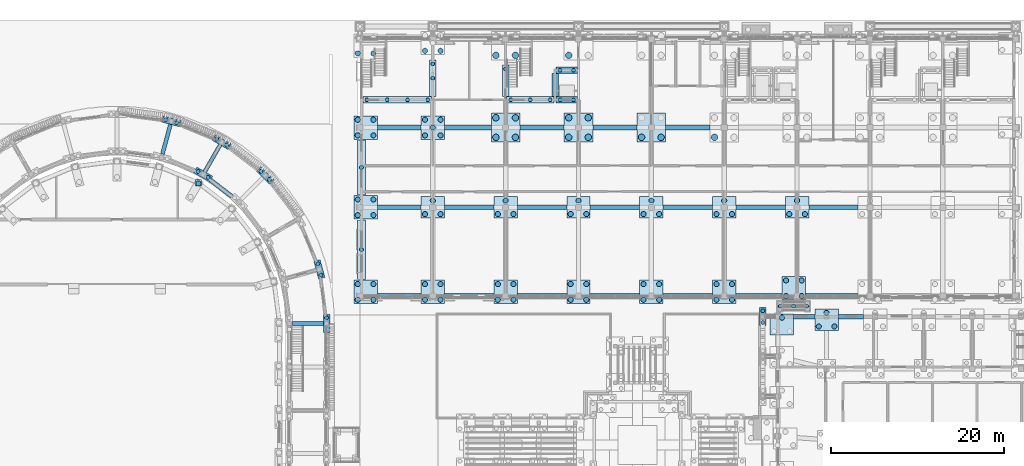
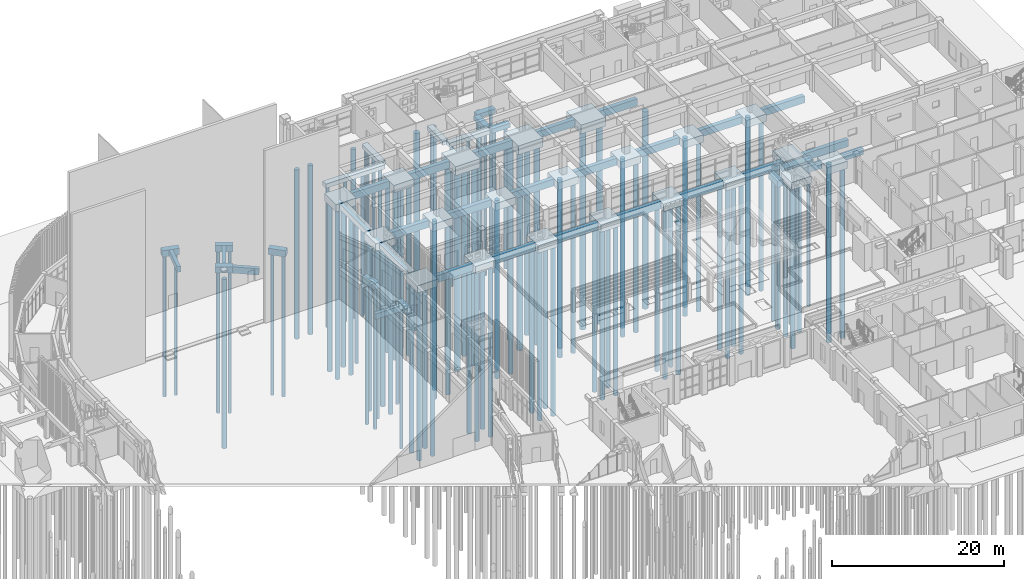
# One storey, part 8 of 112: 114 piles, 64 footings.
"""IFC4 building model written with IfcOpenShell, lengths in metres."""

from ifc_helpers import new_model, si_unit, direction, frame, origin, origin_2d, place, context, subcontext, project, spatial, rectangle, circle, extrude, material, material_profile, profile_set, type_object, element, save


model = new_model("IFC4")

# Units and contexts
model_context = context("Model", 3, precision=1e-05, world=origin(), true_north=direction((0.0, 1.0)))
body_context = subcontext(model_context, "Body", "Model", "MODEL_VIEW")
ifc_project = project(units=[si_unit("LENGTHUNIT", "METRE"), si_unit("AREAUNIT", "SQUARE_METRE"), si_unit("VOLUMEUNIT", "CUBIC_METRE"), si_unit("PLANEANGLEUNIT", "RADIAN"), si_unit("MASSUNIT", "GRAM", prefix="KILO")], contexts=[model_context])

# Site, building, storey
site_placement = place(None, origin())
site = spatial("IfcSite", under=ifc_project, at=site_placement, CompositionType="ELEMENT")
building_placement = place(site_placement, origin())
building = spatial("IfcBuilding", under=site, at=building_placement, Name="Wasatch Bagh Community Centre", CompositionType="ELEMENT")
storey_placement = place(building_placement, origin())
storey = spatial("IfcBuildingStorey", under=building, at=storey_placement, Name="L00", CompositionType="ELEMENT", Elevation=0.0)

# Footings
ifc_material_1 = material(Name="Concrete C35", Category="concrete")
footing_type_1 = type_object("IfcFootingType", Name="FD-GB-B", PredefinedType="FOOTING_BEAM", material=ifc_material_1)
for number, where, z_axis, x_axis, name in (
    (1, (58.0, 65.0, -1.0), (0.0, 0.0, 1.0), (1.0, 0.0, 0.0), "GB ground beam 87"),
    (2, (47.0, 84.052490234375, -1.0), (0.0, 0.0, 1.0), (0.50000000003, 0.866025403767, 0.0), "GB ground beam 100"),
    (3, (41.694091796875, 86.25048828125, -1.0), (0.0, 0.0, 1.0), (0.258819045119, 0.965925826285, 0.0), "GB ground beam 102"),
):
    element("IfcFooting", number, at=place(storey_placement, frame(where, z_axis=z_axis, x_axis=x_axis)), inside=storey, type_object=footing_type_1, Name=name, PredefinedType="FOOTING_BEAM", context=body_context, shape_type="SweptSolid", body=[
        extrude(rectangle(XDim=3.550048828125, YDim=0.449951171875, at=origin_2d()), origin(), (0.0, 0.0, 1.0), 0.800048828125),
    ])
footing_type_2 = type_object("IfcFootingType", Name="FD-GB-C", PredefinedType="FOOTING_BEAM", material=ifc_material_1)
footing_1_placement = place(storey_placement, frame((47.98046875, 80.61328125, -1.099853515625), z_axis=(0.0, 0.0, 1.0), x_axis=(-0.793353340376, 0.608761428898, 0.0)))
element("IfcFooting", 4, at=footing_1_placement, inside=storey, type_object=footing_type_2, Name="GB ground beam 97", PredefinedType="FOOTING_BEAM", context=body_context, shape_type="SweptSolid", body=[
    extrude(rectangle(XDim=3.063720703125, YDim=0.5, at=origin_2d()), origin(), (0.0, 0.0, 1.0), 0.89990234375),
])
footing_2_placement = place(storey_placement, frame((115.22509765625, 65.800048828125, -1.099853515625), z_axis=(0.0, 0.0, 1.0), x_axis=(1.0, 0.0, 0.0)))
element("IfcFooting", 5, at=footing_2_placement, inside=storey, type_object=footing_type_2, Name="GB ground beam 300", PredefinedType="FOOTING_BEAM", context=body_context, shape_type="SweptSolid", body=[
    extrude(rectangle(XDim=2.449951171875, YDim=0.5, at=origin_2d()), origin(), (0.0, 0.0, 1.0), 0.89990234375),
])
footing_3_placement = place(storey_placement, frame((120.60009765625, 65.800048828125, -1.099853515625), z_axis=(0.0, 0.0, 1.0), x_axis=(1.0, 0.0, 0.0)))
element("IfcFooting", 6, at=footing_3_placement, inside=storey, type_object=footing_type_2, Name="GB ground beam 302", PredefinedType="FOOTING_BEAM", context=body_context, shape_type="SweptSolid", body=[
    extrude(rectangle(XDim=2.89990234375, YDim=0.5, at=origin_2d()), origin(), (0.0, 0.0, 1.0), 0.89990234375),
])
footing_type_3 = type_object("IfcFootingType", Name="FD-GB-D", PredefinedType="FOOTING_BEAM", material=ifc_material_1)
footing_4_placement = place(storey_placement, frame((76.449951171875, 87.60009765625, -1.199951171875), z_axis=(0.0, 0.0, 1.0), x_axis=(1.0, 0.0, 0.0)))
element("IfcFooting", 7, at=footing_4_placement, inside=storey, type_object=footing_type_3, Name="GB ground beam 188", PredefinedType="FOOTING_BEAM", context=body_context, shape_type="SweptSolid", body=[
    extrude(rectangle(XDim=5.39990234375, YDim=0.550048828125, at=origin_2d()), origin(), (0.0, 0.0, 1.0), 1.0),
])
footing_5_placement = place(storey_placement, frame((68.52490234375, 87.60009765625, -1.199951171875), z_axis=(0.0, 0.0, 1.0), x_axis=(-1.0, 0.0, 0.0)))
element("IfcFooting", 8, at=footing_5_placement, inside=storey, type_object=footing_type_3, Name="GB ground beam 189", PredefinedType="FOOTING_BEAM", context=body_context, shape_type="SweptSolid", body=[
    extrude(rectangle(XDim=5.050048828125, YDim=0.550048828125, at=origin_2d()), origin(), (0.0, 0.0, 1.0), 1.0),
])
for number, where, z_axis, x_axis, name in (
    (9, (85.0, 87.60009765625, -1.199951171875), (0.0, 0.0, 1.0), (1.0, 0.0, 0.0), "GB ground beam 190"),
    (10, (93.39990234375, 87.60009765625, -1.199951171875), (0.0, 0.0, 1.0), (1.0, 0.0, 0.0), "GB ground beam 191"),
    (11, (101.800048828125, 87.60009765625, -1.199951171875), (0.0, 0.0, 1.0), (1.0, 0.0, 0.0), "GB ground beam 192"),
):
    element("IfcFooting", number, at=place(storey_placement, frame(where, z_axis=z_axis, x_axis=x_axis)), inside=storey, type_object=footing_type_3, Name=name, PredefinedType="FOOTING_BEAM", context=body_context, shape_type="SweptSolid", body=[
        extrude(rectangle(XDim=5.10009765625, YDim=0.550048828125, at=origin_2d()), origin(), (0.0, 0.0, 1.0), 1.0),
    ])
footing_6_placement = place(storey_placement, frame((76.60009765625, 78.39990234375, -1.199951171875), z_axis=(0.0, 0.0, 1.0), x_axis=(1.0, 0.0, 0.0)))
element("IfcFooting", 12, at=footing_6_placement, inside=storey, type_object=footing_type_3, Name="GB ground beam 197", PredefinedType="FOOTING_BEAM", context=body_context, shape_type="SweptSolid", body=[
    extrude(rectangle(XDim=5.699951171875, YDim=0.550048828125, at=origin_2d()), origin(), (0.0, 0.0, 1.0), 1.0),
])
footing_7_placement = place(storey_placement, frame((68.52490234375, 78.39990234375, -1.199951171875), z_axis=(0.0, 0.0, 1.0), x_axis=(-1.0, 0.0, 0.0)))
element("IfcFooting", 13, at=footing_7_placement, inside=storey, type_object=footing_type_3, Name="GB ground beam 198", PredefinedType="FOOTING_BEAM", context=body_context, shape_type="SweptSolid", body=[
    extrude(rectangle(XDim=5.050048828125, YDim=0.550048828125, at=origin_2d()), origin(), (0.0, 0.0, 1.0), 1.0),
])
for number, where, z_axis, x_axis, name in (
    (14, (85.0, 78.39990234375, -1.199951171875), (0.0, 0.0, 1.0), (1.0, 0.0, 0.0), "GB ground beam 199"),
    (15, (93.39990234375, 78.39990234375, -1.199951171875), (0.0, 0.0, 1.0), (1.0, 0.0, 0.0), "GB ground beam 200"),
    (16, (101.800048828125, 78.39990234375, -1.199951171875), (0.0, 0.0, 1.0), (1.0, 0.0, 0.0), "GB ground beam 201"),
    (17, (110.199951171875, 78.39990234375, -1.199951171875), (0.0, 0.0, 1.0), (1.0, 0.0, 0.0), "GB ground beam 202"),
    (18, (118.60009765625, 78.39990234375, -1.199951171875), (0.0, 0.0, 1.0), (1.0, 0.0, 0.0), "GB ground beam 203"),
):
    element("IfcFooting", number, at=place(storey_placement, frame(where, z_axis=z_axis, x_axis=x_axis)), inside=storey, type_object=footing_type_3, Name=name, PredefinedType="FOOTING_BEAM", context=body_context, shape_type="SweptSolid", body=[
        extrude(rectangle(XDim=5.699951171875, YDim=0.550048828125, at=origin_2d()), origin(), (0.0, 0.0, 1.0), 1.0),
    ])
footing_8_placement = place(storey_placement, frame((68.52490234375, 68.199951171875, -1.199951171875), z_axis=(0.0, 0.0, 1.0), x_axis=(1.0, 0.0, 0.0)))
element("IfcFooting", 19, at=footing_8_placement, inside=storey, type_object=footing_type_3, Name="GB ground beam 215", PredefinedType="FOOTING_BEAM", context=body_context, shape_type="SweptSolid", body=[
    extrude(rectangle(XDim=5.050048828125, YDim=0.550048828125, at=origin_2d()), origin(), (0.0, 0.0, 1.0), 1.0),
])
for number, where, z_axis, x_axis, name in (
    (20, (76.60009765625, 68.199951171875, -1.199951171875), (0.0, 0.0, 1.0), (1.0, 0.0, 0.0), "GB ground beam 216"),
    (21, (85.0, 68.199951171875, -1.199951171875), (0.0, 0.0, 1.0), (1.0, 0.0, 0.0), "GB ground beam 217"),
    (22, (93.39990234375, 68.199951171875, -1.199951171875), (0.0, 0.0, 1.0), (1.0, 0.0, 0.0), "GB ground beam 218"),
    (23, (101.800048828125, 68.199951171875, -1.199951171875), (0.0, 0.0, 1.0), (1.0, 0.0, 0.0), "GB ground beam 219"),
):
    element("IfcFooting", number, at=place(storey_placement, frame(where, z_axis=z_axis, x_axis=x_axis)), inside=storey, type_object=footing_type_3, Name=name, PredefinedType="FOOTING_BEAM", context=body_context, shape_type="SweptSolid", body=[
        extrude(rectangle(XDim=5.699951171875, YDim=0.550048828125, at=origin_2d()), origin(), (0.0, 0.0, 1.0), 1.0),
    ])
footing_9_placement = place(storey_placement, frame((110.012451171875, 68.199951171875, -1.199951171875), z_axis=(0.0, 0.0, 1.0), x_axis=(1.0, 0.0, 0.0)))
element("IfcFooting", 24, at=footing_9_placement, inside=storey, type_object=footing_type_3, Name="GB ground beam 220", PredefinedType="FOOTING_BEAM", context=body_context, shape_type="SweptSolid", body=[
    extrude(rectangle(XDim=5.324951171875, YDim=0.550048828125, at=origin_2d()), origin(), (0.0, 0.0, 1.0), 1.0),
])
footing_10_placement = place(storey_placement, frame((118.41259765625, 68.199951171875, -1.199951171875), z_axis=(0.0, 0.0, 1.0), x_axis=(1.0, 0.0, 0.0)))
element("IfcFooting", 25, at=footing_10_placement, inside=storey, type_object=footing_type_3, Name="GB ground beam 221", PredefinedType="FOOTING_BEAM", context=body_context, shape_type="SweptSolid", body=[
    extrude(rectangle(XDim=6.074951171875, YDim=0.550048828125, at=origin_2d()), origin(), (0.0, 0.0, 1.0), 1.0),
])

# Piles
ifc_material_2 = material(Name="Concrete C30", Category="concrete")
ifc_material_profile_1 = material_profile(ifc_material_2, circle(Radius=0.22509765625, at=origin_2d()), Name="RC D450")
ifc_profile_set_1 = profile_set([ifc_material_profile_1], Name="Concrete C30")
pile_type_1 = type_object("IfcPileType", Name="FD-P450", PredefinedType="BORED", material=ifc_profile_set_1)
for number, where, z_axis, x_axis, name in (
    (26, (110.449951171875, 65.125, -1.10009765625), (0.0, 0.0, -1.0), (1.0, 0.0, 0.0), "P pile 18.1"),
    (27, (110.449951171875, 66.47509765625, -1.10009765625), (0.0, 0.0, -1.0), (1.0, 0.0, 0.0), "P pile 18.2"),
    (28, (60.14990234375, 65.675048828125, -1.10009765625), (0.0, 0.0, -1.0), (1.0, 0.0, 0.0), "P pile 128.2"),
    (29, (59.501708984375, 70.598388671875, -1.10009765625), (0.0, 0.0, -1.0), (1.0, 0.0, 0.0), "P pile 132.1"),
    (30, (59.15234375, 71.902587890625, -1.10009765625), (0.0, 0.0, -1.0), (1.0, 0.0, 0.0), "P pile 132.2"),
    (31, (53.553955078125, 81.599365234375, -1.10009765625), (0.0, 0.0, -1.0), (1.0, 0.0, 0.0), "P pile 140.1"),
    (32, (52.599365234375, 82.553955078125, -1.10009765625), (0.0, 0.0, -1.0), (1.0, 0.0, 0.0), "P pile 140.2"),
    (33, (46.509521484375, 81.85302734375, -1.10009765625), (0.0, 0.0, -1.0), (1.0, 0.0, 0.0), "P pile 142.1"),
    (34, (45.34033203125, 82.528076171875, -1.10009765625), (0.0, 0.0, -1.0), (1.0, 0.0, 0.0), "P pile 142.2"),
    (35, (48.65966796875, 85.576904296875, -1.10009765625), (0.0, 0.0, -1.0), (1.0, 0.0, 0.0), "P pile 147.1"),
    (36, (47.490478515625, 86.251953125, -1.10009765625), (0.0, 0.0, -1.0), (1.0, 0.0, 0.0), "P pile 147.2"),
    (37, (42.902587890625, 88.15234375, -1.10009765625), (0.0, 0.0, -1.0), (1.0, 0.0, 0.0), "P pile 149.1"),
    (38, (41.598388671875, 88.501708984375, -1.10009765625), (0.0, 0.0, -1.0), (1.0, 0.0, 0.0), "P pile 149.2"),
    (39, (112.47509765625, 67.0, -1.10009765625), (0.0, 0.0, -1.0), (1.0, 0.0, 0.0), "P pile 255.1"),
    (40, (114.0, 67.0, -1.10009765625), (0.0, 0.0, -1.0), (1.0, 0.0, 0.0), "P pile 255.2"),
    (41, (115.52490234375, 67.0, -1.10009765625), (0.0, 0.0, -1.0), (1.0, 0.0, 0.0), "P pile 255.3"),
    (42, (64.800048828125, 90.800048828125, -0.800048828125), (0.0, 0.0, -1.0), (1.0, 0.0, 0.0), "P pile SF21.1"),
    (43, (67.1416015625, 90.800048828125, -0.800048828125), (0.0, 0.0, -1.0), (1.0, 0.0, 0.0), "P pile SF21.2"),
    (44, (69.4833984375, 90.800048828125, -0.800048828125), (0.0, 0.0, -1.0), (1.0, 0.0, 0.0), "P pile SF21.3"),
    (45, (71.824951171875, 90.800048828125, -0.800048828125), (0.0, 0.0, -1.0), (1.0, 0.0, 0.0), "P pile SF21.4"),
    (46, (81.375, 90.800048828125, -0.800048828125), (0.0, 0.0, -1.0), (1.0, 0.0, 0.0), "P pile SF22.1"),
    (47, (83.64990234375, 90.800048828125, -0.800048828125), (0.0, 0.0, -1.0), (1.0, 0.0, 0.0), "P pile SF22.2"),
    (48, (85.925048828125, 90.800048828125, -0.800048828125), (0.0, 0.0, -1.0), (1.0, 0.0, 0.0), "P pile SF22.3"),
    (49, (87.074951171875, 90.800048828125, -0.800048828125), (0.0, 0.0, -1.0), (1.0, 0.0, 0.0), "P pile SF23.1"),
    (50, (88.625, 90.800048828125, -0.800048828125), (0.0, 0.0, -1.0), (1.0, 0.0, 0.0), "P pile SF23.2"),
    (51, (87.074951171875, 94.199951171875, -0.800048828125), (0.0, 0.0, -1.0), (1.0, 0.0, 0.0), "P pile SF30.1"),
    (52, (88.625, 94.199951171875, -0.800048828125), (0.0, 0.0, -1.0), (1.0, 0.0, 0.0), "P pile SF30.2"),
    (53, (64.175048828125, 73.52490234375, -0.949951171875), (0.0, 0.0, -1.0), (1.0, 0.0, 0.0), "P pile SF34.1"),
    (54, (64.175048828125, 83.0, -0.949951171875), (0.0, 0.0, -1.0), (1.0, 0.0, 0.0), "P pile SF35.1"),
    (55, (72.39990234375, 93.28759765625, -0.800048828125), (0.0, 0.0, -1.0), (1.0, 0.0, 0.0), "P pile SF36.1"),
    (56, (72.39990234375, 94.949951171875, -0.800048828125), (0.0, 0.0, -1.0), (1.0, 0.0, 0.0), "P pile SF36.2"),
    (57, (80.800048828125, 94.35009765625, -0.800048828125), (0.0, 0.0, -1.0), (1.0, 0.0, 0.0), "P pile SF37.1"),
):
    element("IfcPile", number, at=place(storey_placement, frame(where, z_axis=z_axis, x_axis=x_axis)), inside=storey, type_object=pile_type_1, Name=name, PredefinedType="BORED", context=body_context, shape_type="SweptSolid", body=[
        extrude(circle(Radius=0.22509765625, at=origin_2d()), origin(), (0.0, 0.0, 1.0), 20.0),
    ])
ifc_material_profile_2 = material_profile(ifc_material_2, circle(Radius=0.300048828125, at=origin_2d()), Name="RC D600")
ifc_profile_set_2 = profile_set([ifc_material_profile_2], Name="Concrete C30")
pile_type_2 = type_object("IfcPileType", Name="FD-P600", PredefinedType="BORED", material=ifc_profile_set_2)
for number, where, z_axis, x_axis, name in (
    (58, (63.75, 67.75, -1.25), (0.0, 0.0, -1.0), (1.0, 0.0, 0.0), "P pile 171.1"),
    (59, (65.550048828125, 67.75, -1.25), (0.0, 0.0, -1.0), (1.0, 0.0, 0.0), "P pile 171.2"),
    (60, (63.75, 69.550048828125, -1.25), (0.0, 0.0, -1.0), (1.0, 0.0, 0.0), "P pile 171.3"),
    (61, (65.550048828125, 69.550048828125, -1.25), (0.0, 0.0, -1.0), (1.0, 0.0, 0.0), "P pile 171.4"),
    (62, (71.5, 67.75, -1.25), (0.0, 0.0, -1.0), (1.0, 0.0, 0.0), "P pile 172.1"),
    (63, (73.300048828125, 67.75, -1.25), (0.0, 0.0, -1.0), (1.0, 0.0, 0.0), "P pile 172.2"),
    (64, (71.5, 69.550048828125, -1.25), (0.0, 0.0, -1.0), (1.0, 0.0, 0.0), "P pile 172.3"),
    (65, (73.300048828125, 69.550048828125, -1.25), (0.0, 0.0, -1.0), (1.0, 0.0, 0.0), "P pile 172.4"),
    (66, (79.89990234375, 67.75, -1.25), (0.0, 0.0, -1.0), (1.0, 0.0, 0.0), "P pile 173.1"),
    (67, (81.699951171875, 67.75, -1.25), (0.0, 0.0, -1.0), (1.0, 0.0, 0.0), "P pile 173.2"),
    (68, (79.89990234375, 69.550048828125, -1.25), (0.0, 0.0, -1.0), (1.0, 0.0, 0.0), "P pile 173.3"),
    (69, (81.699951171875, 69.550048828125, -1.25), (0.0, 0.0, -1.0), (1.0, 0.0, 0.0), "P pile 173.4"),
    (70, (88.300048828125, 67.75, -1.25), (0.0, 0.0, -1.0), (1.0, 0.0, 0.0), "P pile 174.1"),
    (71, (90.10009765625, 67.75, -1.25), (0.0, 0.0, -1.0), (1.0, 0.0, 0.0), "P pile 174.2"),
    (72, (88.300048828125, 69.550048828125, -1.25), (0.0, 0.0, -1.0), (1.0, 0.0, 0.0), "P pile 174.3"),
    (73, (90.10009765625, 69.550048828125, -1.25), (0.0, 0.0, -1.0), (1.0, 0.0, 0.0), "P pile 174.4"),
    (74, (96.699951171875, 67.75, -1.25), (0.0, 0.0, -1.0), (1.0, 0.0, 0.0), "P pile 175.1"),
    (75, (98.5, 67.75, -1.25), (0.0, 0.0, -1.0), (1.0, 0.0, 0.0), "P pile 175.2"),
    (76, (96.699951171875, 69.550048828125, -1.25), (0.0, 0.0, -1.0), (1.0, 0.0, 0.0), "P pile 175.3"),
    (77, (98.5, 69.550048828125, -1.25), (0.0, 0.0, -1.0), (1.0, 0.0, 0.0), "P pile 175.4"),
    (78, (105.10009765625, 67.75, -1.25), (0.0, 0.0, -1.0), (1.0, 0.0, 0.0), "P pile 176.1"),
    (79, (106.89990234375, 67.75, -1.25), (0.0, 0.0, -1.0), (1.0, 0.0, 0.0), "P pile 176.2"),
    (80, (105.10009765625, 69.550048828125, -1.25), (0.0, 0.0, -1.0), (1.0, 0.0, 0.0), "P pile 176.3"),
    (81, (106.89990234375, 69.550048828125, -1.25), (0.0, 0.0, -1.0), (1.0, 0.0, 0.0), "P pile 176.4"),
    (82, (113.125, 68.175048828125, -1.25), (0.0, 0.0, -1.0), (1.0, 0.0, 0.0), "P pile 180.1"),
    (83, (114.925048828125, 68.175048828125, -1.25), (0.0, 0.0, -1.0), (1.0, 0.0, 0.0), "P pile 180.2"),
    (84, (113.125, 69.97509765625, -1.25), (0.0, 0.0, -1.0), (1.0, 0.0, 0.0), "P pile 180.3"),
    (85, (114.925048828125, 69.97509765625, -1.25), (0.0, 0.0, -1.0), (1.0, 0.0, 0.0), "P pile 180.4"),
    (86, (63.75, 77.5, -1.25), (0.0, 0.0, -1.0), (1.0, 0.0, 0.0), "P pile 181.1"),
    (87, (65.550048828125, 77.5, -1.25), (0.0, 0.0, -1.0), (1.0, 0.0, 0.0), "P pile 181.2"),
    (88, (63.75, 79.300048828125, -1.25), (0.0, 0.0, -1.0), (1.0, 0.0, 0.0), "P pile 181.3"),
    (89, (65.550048828125, 79.300048828125, -1.25), (0.0, 0.0, -1.0), (1.0, 0.0, 0.0), "P pile 181.4"),
    (90, (71.5, 77.62060546875, -1.25), (0.0, 0.0, -1.0), (1.0, 0.0, 0.0), "P pile 182.1"),
    (91, (73.300048828125, 77.62060546875, -1.25), (0.0, 0.0, -1.0), (1.0, 0.0, 0.0), "P pile 182.2"),
    (92, (72.39990234375, 79.179443359375, -1.25), (0.0, 0.0, -1.0), (1.0, 0.0, 0.0), "P pile 182.3"),
    (93, (79.89990234375, 77.62060546875, -1.25), (0.0, 0.0, -1.0), (1.0, 0.0, 0.0), "P pile 183.1"),
    (94, (81.699951171875, 77.62060546875, -1.25), (0.0, 0.0, -1.0), (1.0, 0.0, 0.0), "P pile 183.2"),
    (95, (80.800048828125, 79.179443359375, -1.25), (0.0, 0.0, -1.0), (1.0, 0.0, 0.0), "P pile 183.3"),
    (96, (88.300048828125, 77.62060546875, -1.25), (0.0, 0.0, -1.0), (1.0, 0.0, 0.0), "P pile 184.1"),
    (97, (90.10009765625, 77.62060546875, -1.25), (0.0, 0.0, -1.0), (1.0, 0.0, 0.0), "P pile 184.2"),
    (98, (89.199951171875, 79.179443359375, -1.25), (0.0, 0.0, -1.0), (1.0, 0.0, 0.0), "P pile 184.3"),
    (99, (96.699951171875, 77.62060546875, -1.25), (0.0, 0.0, -1.0), (1.0, 0.0, 0.0), "P pile 185.1"),
    (100, (98.5, 77.62060546875, -1.25), (0.0, 0.0, -1.0), (1.0, 0.0, 0.0), "P pile 185.2"),
    (101, (97.60009765625, 79.179443359375, -1.25), (0.0, 0.0, -1.0), (1.0, 0.0, 0.0), "P pile 185.3"),
    (102, (105.10009765625, 77.62060546875, -1.25), (0.0, 0.0, -1.0), (1.0, 0.0, 0.0), "P pile 186.1"),
    (103, (106.89990234375, 77.62060546875, -1.25), (0.0, 0.0, -1.0), (1.0, 0.0, 0.0), "P pile 186.2"),
    (104, (106.0, 79.179443359375, -1.25), (0.0, 0.0, -1.0), (1.0, 0.0, 0.0), "P pile 186.3"),
    (105, (113.5, 77.62060546875, -1.25), (0.0, 0.0, -1.0), (1.0, 0.0, 0.0), "P pile 187.1"),
    (106, (115.300048828125, 77.62060546875, -1.25), (0.0, 0.0, -1.0), (1.0, 0.0, 0.0), "P pile 187.2"),
    (107, (114.39990234375, 79.179443359375, -1.25), (0.0, 0.0, -1.0), (1.0, 0.0, 0.0), "P pile 187.3"),
    (108, (63.75, 86.699951171875, -1.25), (0.0, 0.0, -1.0), (1.0, 0.0, 0.0), "P pile 191.1"),
    (109, (65.550048828125, 86.699951171875, -1.25), (0.0, 0.0, -1.0), (1.0, 0.0, 0.0), "P pile 191.2"),
    (110, (63.75, 88.5, -1.25), (0.0, 0.0, -1.0), (1.0, 0.0, 0.0), "P pile 191.3"),
    (111, (65.550048828125, 88.5, -1.25), (0.0, 0.0, -1.0), (1.0, 0.0, 0.0), "P pile 191.4"),
    (112, (71.5, 86.699951171875, -1.25), (0.0, 0.0, -1.0), (1.0, 0.0, 0.0), "P pile 192.1"),
    (113, (73.300048828125, 86.699951171875, -1.25), (0.0, 0.0, -1.0), (1.0, 0.0, 0.0), "P pile 192.2"),
    (114, (71.5, 88.5, -1.25), (0.0, 0.0, -1.0), (1.0, 0.0, 0.0), "P pile 192.3"),
    (115, (73.300048828125, 88.5, -1.25), (0.0, 0.0, -1.0), (1.0, 0.0, 0.0), "P pile 192.4"),
    (116, (72.39990234375, 87.60009765625, -1.25), (0.0, 0.0, -1.0), (1.0, 0.0, 0.0), "P pile 192.5"),
    (117, (63.75, 96.14990234375, -1.25), (0.0, 0.0, -1.0), (1.0, 0.0, 0.0), "P pile 201.1"),
    (118, (65.550048828125, 96.14990234375, -1.25), (0.0, 0.0, -1.0), (1.0, 0.0, 0.0), "P pile 201.2"),
    (119, (71.5, 96.449951171875, -1.25), (0.0, 0.0, -1.0), (1.0, 0.0, 0.0), "P pile 210.1"),
    (120, (73.300048828125, 96.449951171875, -1.25), (0.0, 0.0, -1.0), (1.0, 0.0, 0.0), "P pile 210.2"),
    (121, (45.375, 81.16748046875, -1.25), (0.0, 0.0, -1.0), (1.0, 0.0, 0.0), "P pile 243.1"),
    (122, (112.64990234375, 65.679443359375, -1.25), (0.0, 0.0, -1.0), (1.0, 0.0, 0.0), "P pile 289.3"),
    (123, (116.89990234375, 64.67041015625, -1.25), (0.0, 0.0, -1.0), (1.0, 0.0, 0.0), "P pile 290.1"),
    (124, (118.699951171875, 64.67041015625, -1.25), (0.0, 0.0, -1.0), (1.0, 0.0, 0.0), "P pile 290.2"),
    (125, (117.800048828125, 66.2294921875, -1.25), (0.0, 0.0, -1.0), (1.0, 0.0, 0.0), "P pile 290.3"),
):
    element("IfcPile", number, at=place(storey_placement, frame(where, z_axis=z_axis, x_axis=x_axis)), inside=storey, type_object=pile_type_2, Name=name, PredefinedType="BORED", context=body_context, shape_type="SweptSolid", body=[
        extrude(circle(Radius=0.300048828125, at=origin_2d()), origin(), (0.0, 0.0, 1.0), 24.0),
    ])
ifc_material_profile_3 = material_profile(ifc_material_2, circle(Radius=0.375, at=origin_2d()), Name="RC D750")
ifc_profile_set_3 = profile_set([ifc_material_profile_3], Name="Concrete C30")
pile_type_3 = type_object("IfcPileType", Name="FD-P750", PredefinedType="BORED", material=ifc_profile_set_3)
for number, where, z_axis, x_axis, name in (
    (126, (79.675048828125, 86.47509765625, -1.469970703125), (0.0, 0.0, -1.0), (1.0, 0.0, 0.0), "P pile 193.1"),
    (127, (81.925048828125, 86.47509765625, -1.469970703125), (0.0, 0.0, -1.0), (1.0, 0.0, 0.0), "P pile 193.2"),
    (128, (79.675048828125, 88.72509765625, -1.469970703125), (0.0, 0.0, -1.0), (1.0, 0.0, 0.0), "P pile 193.3"),
    (129, (81.925048828125, 88.72509765625, -1.469970703125), (0.0, 0.0, -1.0), (1.0, 0.0, 0.0), "P pile 193.4"),
    (130, (88.074951171875, 86.47509765625, -1.469970703125), (0.0, 0.0, -1.0), (1.0, 0.0, 0.0), "P pile 194.1"),
    (131, (90.324951171875, 86.47509765625, -1.469970703125), (0.0, 0.0, -1.0), (1.0, 0.0, 0.0), "P pile 194.2"),
    (132, (88.074951171875, 88.72509765625, -1.469970703125), (0.0, 0.0, -1.0), (1.0, 0.0, 0.0), "P pile 194.3"),
    (133, (90.324951171875, 88.72509765625, -1.469970703125), (0.0, 0.0, -1.0), (1.0, 0.0, 0.0), "P pile 194.4"),
    (134, (96.47509765625, 86.47509765625, -1.469970703125), (0.0, 0.0, -1.0), (1.0, 0.0, 0.0), "P pile 195.1"),
    (135, (98.72509765625, 86.47509765625, -1.469970703125), (0.0, 0.0, -1.0), (1.0, 0.0, 0.0), "P pile 195.2"),
    (136, (104.875, 86.47509765625, -1.469970703125), (0.0, 0.0, -1.0), (1.0, 0.0, 0.0), "P pile 196.1"),
    (137, (79.675048828125, 95.925048828125, -1.469970703125), (0.0, 0.0, -1.0), (1.0, 0.0, 0.0), "P pile 202.1"),
    (138, (81.925048828125, 95.925048828125, -1.469970703125), (0.0, 0.0, -1.0), (1.0, 0.0, 0.0), "P pile 202.2"),
    (139, (88.074951171875, 95.925048828125, -1.469970703125), (0.0, 0.0, -1.0), (1.0, 0.0, 0.0), "P pile 203.1"),
):
    element("IfcPile", number, at=place(storey_placement, frame(where, z_axis=z_axis, x_axis=x_axis)), inside=storey, type_object=pile_type_3, Name=name, PredefinedType="BORED", context=body_context, shape_type="SweptSolid", body=[
        extrude(circle(Radius=0.375, at=origin_2d()), origin(), (0.0, 0.0, 1.0), 28.0),
    ])

# Footings
footing_type_4 = type_object("IfcFootingType", Name="FD-PC2", PredefinedType="PILE_CAP", material=ifc_material_2)
for number, where, z_axis, x_axis, name in (
    (140, (110.449951171875, 65.800048828125, -1.099853515625), (0.0, 0.0, 1.0), (0.0, 1.0, 0.0), "PC cap 18"),
    (141, (60.14990234375, 65.0, -1.099853515625), (0.0, 0.0, 1.0), (0.0, 1.0, 0.0), "PC cap 128"),
    (142, (59.3271484375, 71.25048828125, -1.099853515625), (0.0, 0.0, 1.0), (-0.258819045086, 0.965925826294, 0.0), "PC cap 132"),
    (143, (53.07666015625, 82.07666015625, -1.099853515625), (0.0, 0.0, 1.0), (-0.707106781187, 0.707106781187, 0.0), "PC cap 140"),
    (144, (45.925048828125, 82.190673828125, -1.099853515625), (0.0, 0.0, 1.0), (-0.866025403784, 0.5, 0.0), "PC cap 142"),
    (145, (48.074951171875, 85.91455078125, -1.099853515625), (0.0, 0.0, 1.0), (-0.866025403784, 0.5, 0.0), "PC cap 147"),
    (146, (42.25048828125, 88.3271484375, -1.099853515625), (0.0, 0.0, 1.0), (-0.965925826294, 0.258819045086, 0.0), "PC cap 149"),
):
    element("IfcFooting", number, at=place(storey_placement, frame(where, z_axis=z_axis, x_axis=x_axis)), inside=storey, type_object=footing_type_4, Name=name, PredefinedType="PILE_CAP", context=body_context, shape_type="SweptSolid", body=[
        extrude(rectangle(XDim=2.10009765625, YDim=0.75, at=origin_2d()), origin(), (0.0, 0.0, 1.0), 0.89990234375),
    ])
footing_type_5 = type_object("IfcFootingType", Name="FD-PC5", PredefinedType="PILE_CAP", material=ifc_material_2)
for number, where, z_axis, x_axis, name in (
    (147, (72.39990234375, 78.39990234375, -1.25), (0.0, 0.0, 1.0), (1.0, 0.0, 0.0), "PC cap 182"),
    (148, (80.800048828125, 78.39990234375, -1.25), (0.0, 0.0, 1.0), (1.0, 0.0, 0.0), "PC cap 183"),
    (149, (89.199951171875, 78.39990234375, -1.25), (0.0, 0.0, 1.0), (1.0, 0.0, 0.0), "PC cap 184"),
    (150, (97.60009765625, 78.39990234375, -1.25), (0.0, 0.0, 1.0), (1.0, 0.0, 0.0), "PC cap 185"),
    (151, (106.0, 78.39990234375, -1.25), (0.0, 0.0, 1.0), (1.0, 0.0, 0.0), "PC cap 186"),
    (152, (114.39990234375, 78.39990234375, -1.25), (0.0, 0.0, 1.0), (1.0, 0.0, 0.0), "PC cap 187"),
    (153, (112.64990234375, 64.89990234375, -1.25), (0.0, 0.0, 1.0), (1.0, 0.0, 0.0), "PC cap 289"),
    (154, (117.800048828125, 65.449951171875, -1.25), (0.0, 0.0, 1.0), (1.0, 0.0, 0.0), "PC cap 290"),
):
    element("IfcFooting", number, at=place(storey_placement, frame(where, z_axis=z_axis, x_axis=x_axis)), inside=storey, type_object=footing_type_5, Name=name, PredefinedType="PILE_CAP", context=body_context, shape_type="SweptSolid", body=[
        extrude(rectangle(XDim=2.699951171875, YDim=2.458984375, at=origin_2d()), origin(), (0.0, 0.0, 1.0), 1.050048828125),
    ])
footing_type_6 = type_object("IfcFootingType", Name="FD-PC6", PredefinedType="PILE_CAP", material=ifc_material_2)
for number, where, z_axis, x_axis, name in (
    (155, (64.64990234375, 68.64990234375, -1.25), (0.0, 0.0, 1.0), (1.0, 0.0, 0.0), "PC cap 171"),
    (156, (72.39990234375, 68.64990234375, -1.25), (0.0, 0.0, 1.0), (1.0, 0.0, 0.0), "PC cap 172"),
    (157, (80.800048828125, 68.64990234375, -1.25), (0.0, 0.0, 1.0), (1.0, 0.0, 0.0), "PC cap 173"),
    (158, (89.199951171875, 68.64990234375, -1.25), (0.0, 0.0, 1.0), (1.0, 0.0, 0.0), "PC cap 174"),
    (159, (97.60009765625, 68.64990234375, -1.25), (0.0, 0.0, 1.0), (1.0, 0.0, 0.0), "PC cap 175"),
    (160, (106.0, 68.64990234375, -1.25), (0.0, 0.0, 1.0), (1.0, 0.0, 0.0), "PC cap 176"),
    (161, (114.02490234375, 69.074951171875, -1.25), (0.0, 0.0, 1.0), (1.0, 0.0, 0.0), "PC cap 180"),
    (162, (64.64990234375, 78.39990234375, -1.25), (0.0, 0.0, 1.0), (1.0, 0.0, 0.0), "PC cap 181"),
    (163, (64.64990234375, 87.60009765625, -1.25), (0.0, 0.0, 1.0), (1.0, 0.0, 0.0), "PC cap 191"),
):
    element("IfcFooting", number, at=place(storey_placement, frame(where, z_axis=z_axis, x_axis=x_axis)), inside=storey, type_object=footing_type_6, Name=name, PredefinedType="PILE_CAP", context=body_context, shape_type="SweptSolid", body=[
        extrude(rectangle(XDim=2.699951171875, YDim=2.699951171875, at=origin_2d()), origin(), (0.0, 0.0, 1.0), 1.050048828125),
    ])
footing_type_7 = type_object("IfcFootingType", Name="FD-PC7", PredefinedType="PILE_CAP", material=ifc_material_2)
footing_11_placement = place(storey_placement, frame((72.39990234375, 87.60009765625, -1.25), z_axis=(0.0, 0.0, 1.0), x_axis=(1.0, 0.0, 0.0)))
element("IfcFooting", 164, at=footing_11_placement, inside=storey, type_object=footing_type_7, Name="PC cap 192", PredefinedType="PILE_CAP", context=body_context, shape_type="SweptSolid", body=[
    extrude(rectangle(XDim=2.699951171875, YDim=2.699951171875, at=origin_2d()), origin(), (0.0, 0.0, 1.0), 1.050048828125),
])
footing_type_8 = type_object("IfcFootingType", Name="FD-PC8", PredefinedType="PILE_CAP", material=ifc_material_2)
for number, where, z_axis, x_axis, name in (
    (165, (80.800048828125, 87.60009765625, -1.469970703125), (0.0, 0.0, 1.0), (1.0, 0.0, 0.0), "PC cap 193"),
    (166, (89.199951171875, 87.60009765625, -1.469970703125), (0.0, 0.0, 1.0), (1.0, 0.0, 0.0), "PC cap 194"),
    (167, (97.60009765625, 87.60009765625, -1.469970703125), (0.0, 0.0, 1.0), (1.0, 0.0, 0.0), "PC cap 195"),
):
    element("IfcFooting", number, at=place(storey_placement, frame(where, z_axis=z_axis, x_axis=x_axis)), inside=storey, type_object=footing_type_8, Name=name, PredefinedType="PILE_CAP", context=body_context, shape_type="SweptSolid", body=[
        extrude(rectangle(XDim=3.300048828125, YDim=3.300048828125, at=origin_2d()), origin(), (0.0, 0.0, 1.0), 1.27001953125),
    ])
footing_type_9 = type_object("IfcFootingType", Name="FD-PC9", PredefinedType="PILE_CAP", material=ifc_material_2)
footing_12_placement = place(storey_placement, frame((114.0, 67.0, -1.099853515625), z_axis=(0.0, 0.0, 1.0), x_axis=(1.0, 0.0, 0.0)))
element("IfcFooting", 168, at=footing_12_placement, inside=storey, type_object=footing_type_9, Name="PC cap 255", PredefinedType="PILE_CAP", context=body_context, shape_type="SweptSolid", body=[
    extrude(rectangle(XDim=3.800048828125, YDim=1.0, at=origin_2d()), origin(), (0.0, 0.0, 1.0), 0.89990234375),
])
footing_type_10 = type_object("IfcFootingType", Name="FD-PD1", PredefinedType="PAD_FOOTING", material=ifc_material_2)
footing_13_placement = place(storey_placement, frame((45.375, 81.238037109375, -0.2001953125), z_axis=(0.0, 0.0, 1.0), x_axis=(1.0, 0.0, 0.0)))
element("IfcFooting", 169, at=footing_13_placement, inside=storey, type_object=footing_type_10, Name="PD pedestal 13", PredefinedType="PAD_FOOTING", context=body_context, shape_type="SweptSolid", body=[
    extrude(rectangle(XDim=0.699951171875, YDim=0.699951171875, at=origin_2d()), origin(), (0.0, 0.0, 1.0), 0.199951171875),
])
footing_type_11 = type_object("IfcFootingType", Name="FD-SF3", PredefinedType="STRIP_FOOTING", material=ifc_material_2)
footing_14_placement = place(storey_placement, frame((68.3125, 90.800048828125, -0.800048828125), z_axis=(0.0, 0.0, 1.0), x_axis=(1.0, 0.0, 0.0)))
element("IfcFooting", 170, at=footing_14_placement, inside=storey, type_object=footing_type_11, Name="SF wall footing 21", PredefinedType="STRIP_FOOTING", context=body_context, shape_type="SweptSolid", body=[
    extrude(rectangle(XDim=7.925048828125, YDim=0.75, at=origin_2d()), origin(), (0.0, 0.0, 1.0), 0.60009765625),
])
footing_15_placement = place(storey_placement, frame((83.64990234375, 90.800048828125, -0.800048828125), z_axis=(0.0, 0.0, 1.0), x_axis=(1.0, 0.0, 0.0)))
element("IfcFooting", 171, at=footing_15_placement, inside=storey, type_object=footing_type_11, Name="SF wall footing 22", PredefinedType="STRIP_FOOTING", context=body_context, shape_type="SweptSolid", body=[
    extrude(rectangle(XDim=5.449951171875, YDim=0.75, at=origin_2d()), origin(), (0.0, 0.0, 1.0), 0.60009765625),
])
for number, where, z_axis, x_axis, name in (
    (172, (87.85009765625, 90.800048828125, -0.800048828125), (0.0, 0.0, 1.0), (1.0, 0.0, 0.0), "SF wall footing 23"),
    (173, (87.85009765625, 94.199951171875, -0.800048828125), (0.0, 0.0, 1.0), (1.0, 0.0, 0.0), "SF wall footing 30"),
):
    element("IfcFooting", number, at=place(storey_placement, frame(where, z_axis=z_axis, x_axis=x_axis)), inside=storey, type_object=footing_type_11, Name=name, PredefinedType="STRIP_FOOTING", context=body_context, shape_type="SweptSolid", body=[
        extrude(rectangle(XDim=2.449951171875, YDim=0.75, at=origin_2d()), origin(), (0.0, 0.0, 1.0), 0.60009765625),
    ])
footing_16_placement = place(storey_placement, frame((72.39990234375, 93.28759765625, -0.800048828125), z_axis=(0.0, 0.0, 1.0), x_axis=(0.0, 1.0, 0.0)))
element("IfcFooting", 174, at=footing_16_placement, inside=storey, type_object=footing_type_11, Name="SF wall footing 36", PredefinedType="STRIP_FOOTING", context=body_context, shape_type="SweptSolid", body=[
    extrude(rectangle(XDim=4.22509765625, YDim=0.75, at=origin_2d()), origin(), (0.0, 0.0, 1.0), 0.60009765625),
])
footing_17_placement = place(storey_placement, frame((80.800048828125, 92.987548828125, -0.800048828125), z_axis=(0.0, 0.0, 1.0), x_axis=(0.0, 1.0, 0.0)))
element("IfcFooting", 175, at=footing_17_placement, inside=storey, type_object=footing_type_11, Name="SF wall footing 37", PredefinedType="STRIP_FOOTING", context=body_context, shape_type="SweptSolid", body=[
    extrude(rectangle(XDim=3.625, YDim=0.75, at=origin_2d()), origin(), (0.0, 0.0, 1.0), 0.60009765625),
])
footing_18_placement = place(storey_placement, frame((86.5, 92.5, -0.800048828125), z_axis=(0.0, 0.0, 1.0), x_axis=(0.0, 1.0, 0.0)))
element("IfcFooting", 176, at=footing_18_placement, inside=storey, type_object=footing_type_11, Name="SF wall footing 38", PredefinedType="STRIP_FOOTING", context=body_context, shape_type="SweptSolid", body=[
    extrude(rectangle(XDim=2.64990234375, YDim=0.75, at=origin_2d()), origin(), (0.0, 0.0, 1.0), 0.60009765625),
])
footing_type_12 = type_object("IfcFootingType", Name="FD-SF4", PredefinedType="STRIP_FOOTING", material=ifc_material_2)
footing_19_placement = place(storey_placement, frame((64.175048828125, 73.52490234375, -0.949951171875), z_axis=(0.0, 0.0, 1.0), x_axis=(0.0, 1.0, 0.0)))
element("IfcFooting", 177, at=footing_19_placement, inside=storey, type_object=footing_type_12, Name="SF wall footing 34", PredefinedType="STRIP_FOOTING", context=body_context, shape_type="SweptSolid", body=[
    extrude(rectangle(XDim=6.85009765625, YDim=0.89990234375, at=origin_2d()), origin(), (0.0, 0.0, 1.0), 0.75),
])
footing_20_placement = place(storey_placement, frame((64.175048828125, 83.0, -0.949951171875), z_axis=(0.0, 0.0, 1.0), x_axis=(0.0, 1.0, 0.0)))
element("IfcFooting", 178, at=footing_20_placement, inside=storey, type_object=footing_type_12, Name="SF wall footing 35", PredefinedType="STRIP_FOOTING", context=body_context, shape_type="SweptSolid", body=[
    extrude(rectangle(XDim=6.300048828125, YDim=0.89990234375, at=origin_2d()), origin(), (0.0, 0.0, 1.0), 0.75),
])

save(model, "model.ifc")
